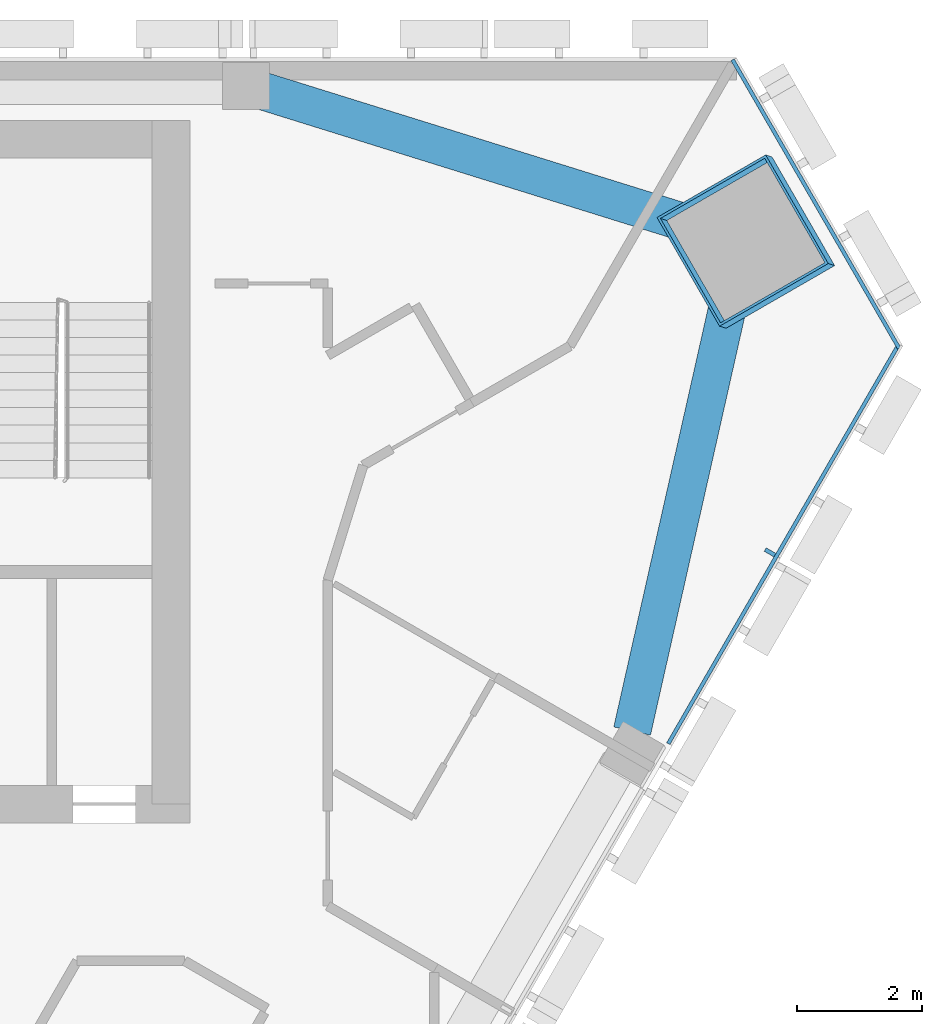
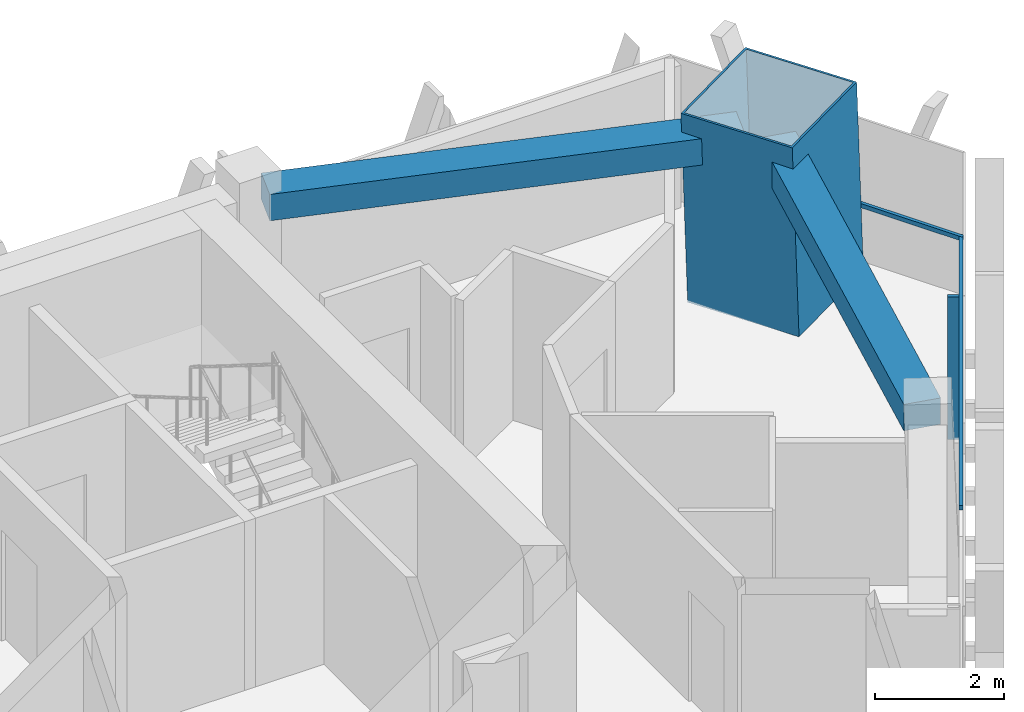
# One storey, part 6 of 15: 4 members, 2 beams, 2 elements without a shape of their own.
"""IFC4 building model written with IfcOpenShell, lengths in metres."""

from ifc_helpers import new_model, si_unit, direction, frame, origin, origin_2d, place, context, subcontext, project, spatial, rectangle, hollow_rectangle, extrude, material, layer, layer_set, material_profile, profile_set, type_object, element, aggregate, save


model = new_model("IFC4")

# Units and contexts
model_context = context("Model", 3, precision=1e-05, world=origin(), true_north=direction((0.0, 1.0)))
body_context = subcontext(model_context, "Body", "Model", "MODEL_VIEW")
ifc_project = project(units=[si_unit("LENGTHUNIT", "METRE"), si_unit("AREAUNIT", "SQUARE_METRE"), si_unit("VOLUMEUNIT", "CUBIC_METRE"), si_unit("PLANEANGLEUNIT", "RADIAN"), si_unit("MASSUNIT", "GRAM", prefix="KILO")], contexts=[model_context])

# Site, building, storey
site_placement = place(None, origin())
site = spatial("IfcSite", under=ifc_project, at=site_placement, CompositionType="ELEMENT")
building_placement = place(site_placement, origin())
building = spatial("IfcBuilding", under=site, at=building_placement, Name="Altiplano Prism Tower", CompositionType="ELEMENT")
storey_placement = place(building_placement, frame((0.0, 0.0, 246.39990234375)))
storey = spatial("IfcBuildingStorey", under=building, at=storey_placement, Name="L63", CompositionType="ELEMENT", Elevation=246.39990234375)

# Curtain wall, members
ifc_material_1 = material(Name="Aluminium and glass", Category="aluminium")
ifc_layer = layer(ifc_material_1, 0.280029296875)
ifc_layer_set = layer_set([ifc_layer], Name="Aluminium and glass")
curtain_wall_type = type_object("IfcCurtainWallType", Name="CW1 typical co-living unitised curtain wall", PredefinedType="NOTDEFINED", material=ifc_layer_set)
curtain_wall_1_placement = place(storey_placement, origin())
curtain_wall_1 = element("IfcCurtainWall", 1, at=curtain_wall_1_placement, inside=storey, type_object=curtain_wall_type, Name="CW1 curtain wall south-east face L63", PredefinedType="NOTDEFINED")
ifc_material_2 = material(Name="Aluminium", Category="aluminium")
ifc_material_profile_1 = material_profile(ifc_material_2, rectangle(XDim=0.179931640625, YDim=0.06494140625, at=origin_2d()), Name="CW1 mullion 65 x 180")
ifc_profile_set_1 = profile_set([ifc_material_profile_1], Name="Aluminium")
member_type_1 = type_object("IfcMemberType", Name="CW1 mullion 65 x 180", PredefinedType="MULLION", material=ifc_profile_set_1)
member_1_placement = place(storey_placement, frame((106.8505859375, 97.113525390625, 0.0), z_axis=(0.0, 0.0, 1.0), x_axis=(-0.866025400486, 0.500000005713, 0.0)))
member_1 = element("IfcMember", 2, at=member_1_placement, type_object=member_type_1, Name="CW1 mullion", PredefinedType="MULLION", context=body_context, shape_type="SweptSolid", body=[
    extrude(rectangle(XDim=0.179931640625, YDim=0.06494140625, at=origin_2d()), origin(), (0.0, 0.0, 1.0), 2.7001953125),
])
ifc_material_profile_2 = material_profile(ifc_material_2, rectangle(XDim=0.06005859375, YDim=0.080078125, at=origin_2d()), Name="CW1 transom 80 x 60")
ifc_profile_set_2 = profile_set([ifc_material_profile_2], Name="Aluminium")
member_type_2 = type_object("IfcMemberType", Name="CW1 transom 80 x 60", PredefinedType="USERDEFINED", material=ifc_profile_set_2)
member_2_placement = place(storey_placement, frame((105.228271484375, 94.063720703125, 1.10009765625), z_axis=(0.49999238347, 0.866029801145, 0.0), x_axis=(-0.866029801145, 0.49999238347, 0.0)))
member_2 = element("IfcMember", 3, at=member_2_placement, type_object=member_type_2, Name="CW1 transom", ObjectType="TRANSOM", PredefinedType="USERDEFINED", context=body_context, shape_type="SweptSolid", body=[
    extrude(rectangle(XDim=0.06005859375, YDim=0.080078125, at=origin_2d()), origin(), (0.0, 0.0, 1.0), 7.359375),
])
aggregate(curtain_wall_1, [member_1, member_2])

# Curtain wall, member
curtain_wall_2_placement = place(storey_placement, origin())
curtain_wall_2 = element("IfcCurtainWall", 4, at=curtain_wall_2_placement, inside=storey, type_object=curtain_wall_type, Name="CW1 curtain wall north-east chamfer L63", PredefinedType="NOTDEFINED")
member_3_placement = place(storey_placement, frame((108.907958984375, 100.3671875, 1.10009765625), z_axis=(-0.499991804824, 0.86603013522, 0.0), x_axis=(-0.86603013522, -0.499991804824, 0.0)))
member_3 = element("IfcMember", 5, at=member_3_placement, type_object=member_type_2, Name="CW1 transom", ObjectType="TRANSOM", PredefinedType="USERDEFINED", context=body_context, shape_type="SweptSolid", body=[
    extrude(rectangle(XDim=0.06005859375, YDim=0.080078125, at=origin_2d()), origin(), (0.0, 0.0, 1.0), 5.30908203125),
])
aggregate(curtain_wall_2, [member_3])

# Beams
ifc_material_3 = material(Name="Concrete C60/75", Category="concrete")
ifc_material_profile_3 = material_profile(ifc_material_3, rectangle(XDim=0.60009765625, YDim=0.5, at=origin_2d()), Name="Edge beam 600x500")
ifc_profile_set_3 = profile_set([ifc_material_profile_3], Name="Concrete C60/75")
beam_type = type_object("IfcBeamType", Name="Edge beam 600x500", PredefinedType="SPANDREL", material=ifc_profile_set_3)
beam_1_placement = place(storey_placement, frame((104.65185546875, 94.2646484375, 2.9501953125), z_axis=(0.21975175833, 0.975555823472, 0.0), x_axis=(-0.975555823472, 0.21975175833, 0.0)))
element("IfcBeam", 6, at=beam_1_placement, inside=storey, type_object=beam_type, Name="Edge beam P24-M2 L64", PredefinedType="SPANDREL", context=body_context, shape_type="SweptSolid", body=[
    extrude(rectangle(XDim=0.60009765625, YDim=0.5, at=origin_2d()), origin(), (0.0, 0.0, 1.0), 7.56591796875),
])
beam_2_placement = place(storey_placement, frame((105.983642578125, 102.21826171875, 2.9501953125), z_axis=(-0.9547334268, 0.297462743468, 0.0), x_axis=(-0.297462743468, -0.9547334268, 0.0)))
element("IfcBeam", 7, at=beam_2_placement, inside=storey, type_object=beam_type, Name="Edge beam M2-P01 L64", PredefinedType="SPANDREL", context=body_context, shape_type="SweptSolid", body=[
    extrude(rectangle(XDim=0.60009765625, YDim=0.5, at=origin_2d()), origin(), (0.0, 0.0, 1.0), 7.565673828125),
])

# Member
ifc_material_4 = material(Name="Steel S460", Category="steel")
ifc_material_profile_4 = material_profile(ifc_material_4, hollow_rectangle(XDim=2.0, YDim=2.0, WallThickness=0.0400390625, at=origin_2d()), Name="Mega column tube 2000")
ifc_profile_set_4 = profile_set([ifc_material_profile_4], Name="Steel S460")
member_type_3 = type_object("IfcMemberType", Name="Mega column tube 2000", PredefinedType="POST", material=ifc_profile_set_4)
member_4_placement = place(storey_placement, frame((106.515625, 102.051025390625, 0.0), z_axis=(-0.028401796786, 0.009286506348, 0.999553449666), x_axis=(0.498888848076, -0.866380961443, 0.022224916524)))
element("IfcMember", 8, at=member_4_placement, inside=storey, type_object=member_type_3, Name="Mega column tube M2 L63", PredefinedType="POST", context=body_context, shape_type="SweptSolid", body=[
    extrude(hollow_rectangle(XDim=2.0, YDim=2.0, WallThickness=0.0400390625, at=origin_2d()), origin(), (0.0, 0.0, 1.0), 3.601806640625),
])

save(model, "model.ifc")
